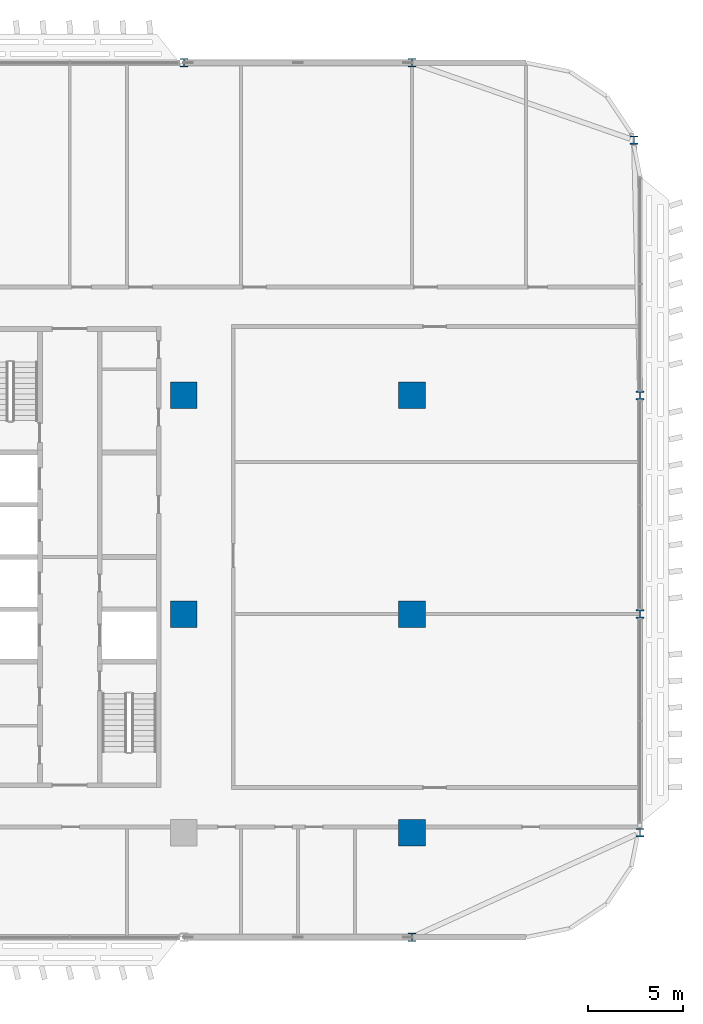
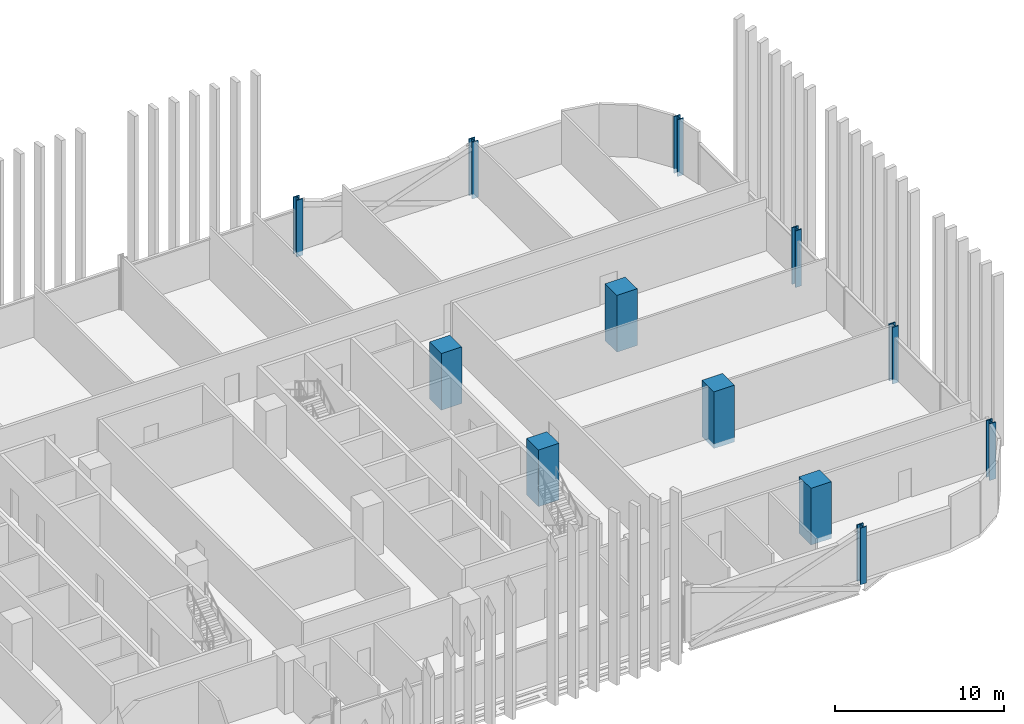
# One storey, part 2 of 31: 12 columns.
"""IFC4 building model written with IfcOpenShell, lengths in metres."""

from ifc_helpers import new_model, si_unit, direction, frame, origin, origin_2d, place, context, subcontext, project, spatial, rectangle, i_section, extrude, material, material_profile, profile_set, type_object, element, save


model = new_model("IFC4")

# Units and contexts
model_context = context("Model", 3, precision=1e-05, world=origin(), true_north=direction((0.0, 1.0)))
body_context = subcontext(model_context, "Body", "Model", "MODEL_VIEW")
ifc_project = project(units=[si_unit("LENGTHUNIT", "METRE"), si_unit("AREAUNIT", "SQUARE_METRE"), si_unit("VOLUMEUNIT", "CUBIC_METRE"), si_unit("PLANEANGLEUNIT", "RADIAN"), si_unit("MASSUNIT", "GRAM", prefix="KILO")], contexts=[model_context])

# Site, building, storey
site_placement = place(None, origin())
site = spatial("IfcSite", under=ifc_project, at=site_placement, CompositionType="ELEMENT")
building_placement = place(site_placement, origin())
building = spatial("IfcBuilding", under=site, at=building_placement, Name="Mahtab Terrace Research Tower", CompositionType="ELEMENT")
storey_placement = place(building_placement, frame((0.0, 0.0, 101.199951171875)))
storey = spatial("IfcBuildingStorey", under=building, at=storey_placement, Name="L23", CompositionType="ELEMENT", Elevation=101.199951171875)

# Columns
ifc_material_1 = material(Name="Concrete C70/85", Category="concrete")
ifc_material_profile_1 = material_profile(ifc_material_1, rectangle(XDim=1.39990234375, YDim=1.39990234375, at=origin_2d()), Name="RC column 1400x1400")
ifc_profile_set_1 = profile_set([ifc_material_profile_1], Name="Concrete C70/85")
column_type_1 = type_object("IfcColumnType", Name="RC column 1400x1400", PredefinedType="COLUMN", material=ifc_profile_set_1)
for number, where, z_axis, x_axis, name in (
    (1, (30.0, 0.0, -0.33984375), (0.0, 0.0, 1.0), (1.0, 0.0, 0.0), "Column RC-7B L23"),
    (2, (30.0, 11.5, -0.33984375), (0.0, 0.0, 1.0), (1.0, 0.0, 0.0), "Column RC-7C L23"),
    (3, (42.0, -11.5, -0.33984375), (0.0, 0.0, 1.0), (1.0, 0.0, 0.0), "Column RC-8A L23"),
    (4, (42.0, 0.0, -0.33984375), (0.0, 0.0, 1.0), (1.0, 0.0, 0.0), "Column RC-8B L23"),
    (5, (42.0, 11.5, -0.33984375), (0.0, 0.0, 1.0), (1.0, 0.0, 0.0), "Column RC-8C L23"),
):
    element("IfcColumn", number, at=place(storey_placement, frame(where, z_axis=z_axis, x_axis=x_axis)), inside=storey, type_object=column_type_1, Name=name, PredefinedType="COLUMN", context=body_context, shape_type="SweptSolid", body=[
        extrude(rectangle(XDim=1.39990234375, YDim=1.39990234375, at=origin_2d()), origin(), (0.0, 0.0, 1.0), 4.099853515625),
    ])
ifc_material_2 = material(Name="Steel ASTM A992 Gr 50", Category="steel")
ifc_material_profile_2 = material_profile(ifc_material_2, i_section(OverallWidth=0.419189453125, OverallDepth=0.45458984375, WebThickness=0.042236328125, FlangeThickness=0.067626953125, at=origin_2d()), Name="W14X370")
ifc_profile_set_2 = profile_set([ifc_material_profile_2], Name="Steel ASTM A992 Gr 50")
column_type_2 = type_object("IfcColumnType", Name="W14x370 column CS14370", PredefinedType="COLUMN", material=ifc_profile_set_2)
for number, where, z_axis, x_axis, name in (
    (6, (53.681884765625, 24.927001953125, -0.33984375), (0.0, 0.0, 1.0), (1.0, 0.0, 0.0), "Column SC-030 L23"),
    (7, (42.0, 29.0, -0.33984375), (0.0, 0.0, 1.0), (1.0, 0.0, 0.0), "Column SC-031 L23"),
    (8, (30.0, 29.0, -0.33984375), (0.0, 0.0, 1.0), (1.0, 0.0, 0.0), "Column SC-032 L23"),
    (9, (42.0, -17.0, -0.33984375), (0.0, 0.0, 1.0), (1.0, 0.0, 0.0), "Column SC-045 L23"),
    (10, (54.0, -11.5, -0.33984375), (0.0, 0.0, 1.0), (1.0, 0.0, 0.0), "Column SC-027 L23"),
    (11, (54.0, 0.0, -0.33984375), (0.0, 0.0, 1.0), (1.0, 0.0, 0.0), "Column SC-028 L23"),
    (12, (54.0, 11.5, -0.33984375), (0.0, 0.0, 1.0), (1.0, 0.0, 0.0), "Column SC-029 L23"),
):
    element("IfcColumn", number, at=place(storey_placement, frame(where, z_axis=z_axis, x_axis=x_axis)), inside=storey, type_object=column_type_2, Name=name, PredefinedType="COLUMN", context=body_context, shape_type="SweptSolid", body=[
        extrude(i_section(OverallWidth=0.419189453125, OverallDepth=0.45458984375, WebThickness=0.042236328125, FlangeThickness=0.067626953125, at=origin_2d()), origin(), (0.0, 0.0, 1.0), 4.099853515625),
    ])

save(model, "model.ifc")
